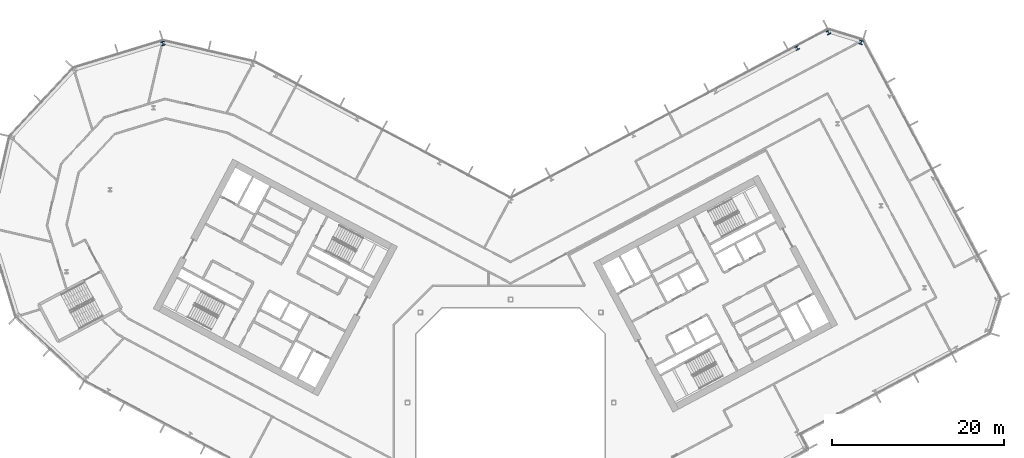
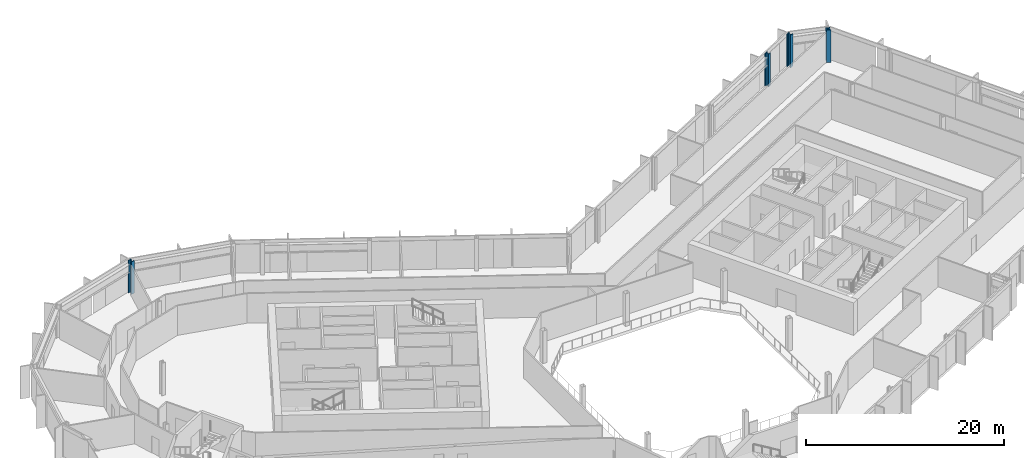
# One storey, part 8 of 28: 4 columns.
"""IFC4 building model written with IfcOpenShell, lengths in metres."""

from ifc_helpers import new_model, si_unit, direction, frame, origin, origin_2d, place, context, subcontext, project, spatial, i_section, extrude, material, material_profile, profile_set, type_object, element, save


model = new_model("IFC4")

# Units and contexts
model_context = context("Model", 3, precision=1e-05, world=origin(), true_north=direction((0.0, 1.0)))
body_context = subcontext(model_context, "Body", "Model", "MODEL_VIEW")
ifc_project = project(units=[si_unit("LENGTHUNIT", "METRE"), si_unit("AREAUNIT", "SQUARE_METRE"), si_unit("VOLUMEUNIT", "CUBIC_METRE"), si_unit("PLANEANGLEUNIT", "RADIAN"), si_unit("MASSUNIT", "GRAM", prefix="KILO")], contexts=[model_context])

# Site, building, storey
site_placement = place(None, origin())
site = spatial("IfcSite", under=ifc_project, at=site_placement, CompositionType="ELEMENT")
building_placement = place(site_placement, origin())
building = spatial("IfcBuilding", under=site, at=building_placement, Name="Cormorant Relay Tower", CompositionType="ELEMENT")
storey_placement = place(building_placement, frame((0.0, 0.0, 162.199951171875)))
storey = spatial("IfcBuildingStorey", under=building, at=storey_placement, Name="L34", CompositionType="ELEMENT", Elevation=162.199951171875)

# Columns
ifc_material_1 = material(Name="Steel ASTM A992 (Fy 345 MPa)", Category="steel")
ifc_material_profile_1 = material_profile(ifc_material_1, i_section(OverallWidth=0.41162109375, OverallDepth=0.434326171875, WebThickness=0.035888671875, FlangeThickness=0.057373046875, FilletRadius=0.01513671875, at=origin_2d()), Name="W360x463")
ifc_profile_set_1 = profile_set([ifc_material_profile_1], Name="Steel ASTM A992 (Fy 345 MPa)")
column_type_1 = type_object("IfcColumnType", Name="Column W360x463", PredefinedType="COLUMN", material=ifc_profile_set_1)
column_placement = place(storey_placement, frame((33.33203125, 41.258056640625, 0.0), z_axis=(0.0, 0.0, 1.0), x_axis=(-0.882947592859, -0.469471562786, 0.0)))
element("IfcColumn", 1, at=column_placement, inside=storey, type_object=column_type_1, Name="Column L34-047", PredefinedType="COLUMN", context=body_context, shape_type="SweptSolid", body=[
    extrude(i_section(OverallWidth=0.41162109375, OverallDepth=0.434326171875, WebThickness=0.035888671875, FlangeThickness=0.057373046875, FilletRadius=0.01513671875, at=origin_2d()), origin(), (0.0, 0.0, 1.0), 4.0),
])
ifc_material_2 = material(Name="Steel ASTM A992 (Fy 345 MPa)", Category="steel")
ifc_material_profile_2 = material_profile(ifc_material_2, i_section(OverallWidth=0.42431640625, OverallDepth=0.47509765625, WebThickness=0.0478515625, FlangeThickness=0.0771484375, FilletRadius=0.014892578125, at=origin_2d()), Name="W360x634")
ifc_profile_set_2 = profile_set([ifc_material_profile_2], Name="Steel ASTM A992 (Fy 345 MPa)")
column_type_2 = type_object("IfcColumnType", Name="Column W360x634", PredefinedType="COLUMN", material=ifc_profile_set_2)
for number, where, z_axis, x_axis, name in (
    (2, (-40.4541015625, 41.783935546875, 0.0), (0.0, 0.0, 1.0), (-0.956304755963, -0.292371704723, 0.0), "Column L34-048"),
    (3, (40.77197265625, 41.9130859375, 0.0), (0.0, 0.0, 1.0), (-0.956304755963, 0.292371704723, 0.0), "Column L34-049"),
    (4, (36.970947265625, 43.075927734375, 0.0), (0.0, 0.0, 1.0), (-0.882947592859, -0.469471562786, 0.0), "Column L34-050"),
):
    element("IfcColumn", number, at=place(storey_placement, frame(where, z_axis=z_axis, x_axis=x_axis)), inside=storey, type_object=column_type_2, Name=name, PredefinedType="COLUMN", context=body_context, shape_type="SweptSolid", body=[
        extrude(i_section(OverallWidth=0.42431640625, OverallDepth=0.47509765625, WebThickness=0.0478515625, FlangeThickness=0.0771484375, FilletRadius=0.014892578125, at=origin_2d()), origin(), (0.0, 0.0, 1.0), 4.0),
    ])

save(model, "model.ifc")
